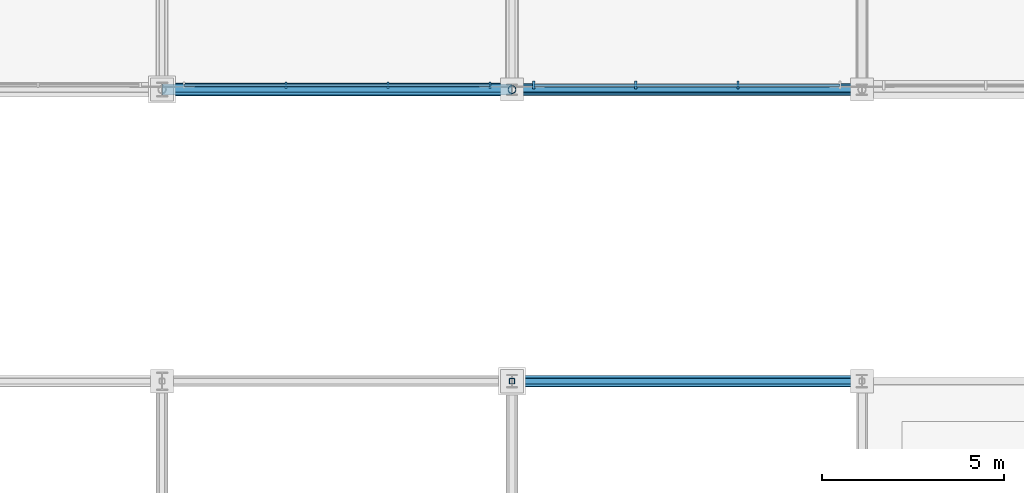
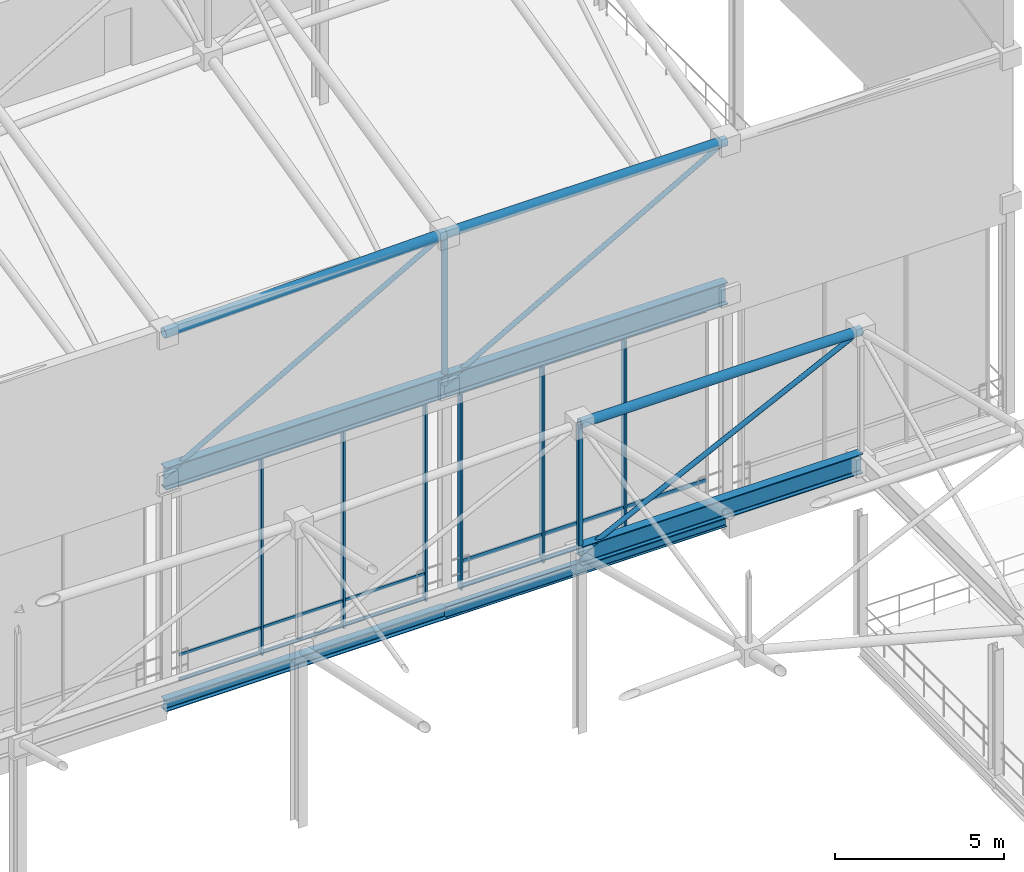
# One storey, part 98 of 193: 20 members, 5 beams, 2 elements without a shape of their own.
"""IFC4 building model written with IfcOpenShell, lengths in metres."""

from ifc_helpers import new_model, si_unit, direction, frame, origin, origin_2d, place, context, subcontext, project, spatial, rectangle, hollow_rectangle, hollow_circle, i_section, extrude, material, material_profile, profile_set, type_object, element, aggregate, save


model = new_model("IFC4")

# Units and contexts
model_context = context("Model", 3, precision=1e-05, world=origin(), true_north=direction((0.0, 1.0)))
body_context = subcontext(model_context, "Body", "Model", "MODEL_VIEW")
ifc_project = project(units=[si_unit("LENGTHUNIT", "METRE"), si_unit("AREAUNIT", "SQUARE_METRE"), si_unit("VOLUMEUNIT", "CUBIC_METRE"), si_unit("PLANEANGLEUNIT", "RADIAN"), si_unit("MASSUNIT", "GRAM", prefix="KILO")], contexts=[model_context])

# Site, building, storey
site_placement = place(None, origin())
site = spatial("IfcSite", under=ifc_project, at=site_placement, CompositionType="ELEMENT")
building_placement = place(site_placement, origin())
building = spatial("IfcBuilding", under=site, at=building_placement, Name="Danafjord Basin Convention Centre", CompositionType="ELEMENT")
storey_placement = place(building_placement, frame((0.0, 0.0, 11.39990234375)))
storey = spatial("IfcBuildingStorey", under=building, at=storey_placement, Name="L02", CompositionType="ELEMENT", Elevation=11.39990234375)

# Beams
ifc_material_1 = material(Name="Steel S355", Category="steel")
ifc_material_profile_1 = material_profile(ifc_material_1, i_section(OverallWidth=0.300048828125, OverallDepth=0.699951171875, WebThickness=0.01708984375, FlangeThickness=0.031982421875, FilletRadius=0.027099609375, at=origin_2d()), Name="HEB 700")
ifc_profile_set_1 = profile_set([ifc_material_profile_1], Name="Steel S355")
beam_type_1 = type_object("IfcBeamType", Name="BEAM-BM-HEB700", PredefinedType="BEAM", material=ifc_profile_set_1)
beam_1_placement = place(storey_placement, frame((182.39990234375, 80.0, 6.35009765625), z_axis=(1.0, 0.0, 0.0), x_axis=(0.0, 1.0, 0.0)))
element("IfcBeam", 1, at=beam_1_placement, inside=storey, type_object=beam_type_1, Name="V3 space-frame perimeter ring girder", PredefinedType="BEAM", context=body_context, shape_type="SweptSolid", body=[
    extrude(i_section(OverallWidth=0.300048828125, OverallDepth=0.699951171875, WebThickness=0.01708984375, FlangeThickness=0.031982421875, FilletRadius=0.027099609375, at=origin_2d()), origin(), (0.0, 0.0, 1.0), 9.60009765625),
])
ifc_material_profile_2 = material_profile(ifc_material_1, i_section(OverallWidth=0.300048828125, OverallDepth=0.800048828125, WebThickness=0.017578125, FlangeThickness=0.032958984375, FilletRadius=0.030029296875, at=origin_2d()), Name="HEB 800")
ifc_profile_set_2 = profile_set([ifc_material_profile_2], Name="Steel S355")
beam_type_2 = type_object("IfcBeamType", Name="BEAM-BM-HEB800", PredefinedType="BEAM", material=ifc_profile_set_2)
beam_2_placement = place(storey_placement, frame((172.800048828125, 88.0, 7.650146484375), z_axis=(1.0, 0.0, 0.0), x_axis=(0.0, 1.0, 0.0)))
element("IfcBeam", 2, at=beam_2_placement, inside=storey, type_object=beam_type_2, Name="V2 space-frame perimeter ring girder", PredefinedType="BEAM", context=body_context, shape_type="SweptSolid", body=[
    extrude(i_section(OverallWidth=0.300048828125, OverallDepth=0.800048828125, WebThickness=0.017578125, FlangeThickness=0.032958984375, FilletRadius=0.030029296875, at=origin_2d()), origin(), (0.0, 0.0, 1.0), 9.599853515625),
])
beam_3_placement = place(storey_placement, frame((182.39990234375, 88.0, 7.650146484375), z_axis=(1.0, 0.0, 0.0), x_axis=(0.0, 1.0, 0.0)))
element("IfcBeam", 3, at=beam_3_placement, inside=storey, type_object=beam_type_2, Name="V2 space-frame perimeter ring girder", PredefinedType="BEAM", context=body_context, shape_type="SweptSolid", body=[
    extrude(i_section(OverallWidth=0.300048828125, OverallDepth=0.800048828125, WebThickness=0.017578125, FlangeThickness=0.032958984375, FilletRadius=0.030029296875, at=origin_2d()), origin(), (0.0, 0.0, 1.0), 9.60009765625),
])
ifc_material_profile_3 = material_profile(ifc_material_1, i_section(OverallWidth=0.300048828125, OverallDepth=0.39990234375, WebThickness=0.013427734375, FlangeThickness=0.02392578125, FilletRadius=0.027099609375, at=origin_2d()), Name="HEB 400")
ifc_profile_set_3 = profile_set([ifc_material_profile_3], Name="Steel S355")
beam_type_3 = type_object("IfcBeamType", Name="BEAM-SP-HEB400", PredefinedType="SPANDREL", material=ifc_profile_set_3)
beam_4_placement = place(storey_placement, frame((172.800048828125, 88.0, -0.559814453125), z_axis=(1.0, 0.0, 0.0), x_axis=(0.0, 1.0, 0.0)))
element("IfcBeam", 4, at=beam_4_placement, inside=storey, type_object=beam_type_3, Name="L02 girder SP-HEB400", PredefinedType="SPANDREL", context=body_context, shape_type="SweptSolid", body=[
    extrude(i_section(OverallWidth=0.300048828125, OverallDepth=0.39990234375, WebThickness=0.013427734375, FlangeThickness=0.02392578125, FilletRadius=0.027099609375, at=origin_2d()), origin(), (0.0, 0.0, 1.0), 9.599853515625),
])
ifc_material_profile_4 = material_profile(ifc_material_1, i_section(OverallWidth=0.18994140625, OverallDepth=0.449951171875, WebThickness=0.009521484375, FlangeThickness=0.0146484375, FilletRadius=0.02099609375, at=origin_2d()), Name="IPE 450")
ifc_profile_set_4 = profile_set([ifc_material_profile_4], Name="Steel S355")
beam_type_4 = type_object("IfcBeamType", Name="BEAM-SP-IPE450", PredefinedType="SPANDREL", material=ifc_profile_set_4)
beam_5_placement = place(storey_placement, frame((182.39990234375, 88.0, -0.5849609375), z_axis=(1.0, 0.0, 0.0), x_axis=(0.0, 1.0, 0.0)))
element("IfcBeam", 5, at=beam_5_placement, inside=storey, type_object=beam_type_4, Name="L02 girder SP-IPE450", PredefinedType="SPANDREL", context=body_context, shape_type="SweptSolid", body=[
    extrude(i_section(OverallWidth=0.18994140625, OverallDepth=0.449951171875, WebThickness=0.009521484375, FlangeThickness=0.0146484375, FilletRadius=0.02099609375, at=origin_2d()), origin(), (0.0, 0.0, 1.0), 9.60009765625),
])

# Members
ifc_material_profile_5 = material_profile(ifc_material_1, hollow_circle(Radius=0.161865234375, WallThickness=0.01611328125, at=origin_2d()), Name="CHS 323.9x16.0")
ifc_profile_set_5 = profile_set([ifc_material_profile_5], Name="Steel S355")
member_type_1 = type_object("IfcMemberType", Name="MEM-CH-CHS324", PredefinedType="CHORD", material=ifc_profile_set_5)
for number, where, z_axis, x_axis, name in (
    (6, (182.39990234375, 88.0, 13.0751953125), (1.0, 0.0, 0.0), (0.0, 1.0, 0.0), "V2 roof truss longitudinal top chord"),
    (7, (182.39990234375, 80.0, 11.0751953125), (1.0, 0.0, 0.0), (0.0, 1.0, 0.0), "V3 roof truss longitudinal top chord"),
):
    element("IfcMember", number, at=place(storey_placement, frame(where, z_axis=z_axis, x_axis=x_axis)), inside=storey, type_object=member_type_1, Name=name, PredefinedType="CHORD", context=body_context, shape_type="SweptSolid", body=[
        extrude(hollow_circle(Radius=0.161865234375, WallThickness=0.01611328125, at=origin_2d()), origin(), (0.0, 0.0, 1.0), 9.60009765625),
    ])
ifc_material_profile_6 = material_profile(ifc_material_1, hollow_circle(Radius=0.177734375, WallThickness=0.01611328125, at=origin_2d()), Name="CHS 355.6x16.0")
ifc_profile_set_6 = profile_set([ifc_material_profile_6], Name="Steel S355")
member_type_2 = type_object("IfcMemberType", Name="MEM-CH-CHS355", PredefinedType="CHORD", material=ifc_profile_set_6)
member_1_placement = place(storey_placement, frame((172.800048828125, 88.0, 12.85009765625), z_axis=(0.999725208244, 0.0, 0.023441586989), x_axis=(0.0, 1.0, 0.0)))
element("IfcMember", 8, at=member_1_placement, inside=storey, type_object=member_type_2, Name="V2 roof truss longitudinal top chord", PredefinedType="CHORD", context=body_context, shape_type="SweptSolid", body=[
    extrude(hollow_circle(Radius=0.177734375, WallThickness=0.01611328125, at=origin_2d()), origin(), (0.0, 0.0, 1.0), 9.6025390625),
])

# Curtain wall, members
ifc_material_2 = material(Name="Anodised aluminium and triple glazing", Category="aluminium")
curtain_wall_type = type_object("IfcCurtainWallType", Name="CW-CW-DRUM", PredefinedType="NOTDEFINED", material=ifc_material_2)
curtain_wall_1_placement = place(storey_placement, origin())
curtain_wall_1 = element("IfcCurtainWall", 9, at=curtain_wall_1_placement, inside=storey, type_object=curtain_wall_type, Name="L02 CW-DRUM unitised curtain wall bay 126", PredefinedType="NOTDEFINED")
ifc_material_3 = material(Name="Anodised aluminium EN AW-6060", Category="aluminium")
ifc_material_profile_7 = material_profile(ifc_material_3, rectangle(XDim=0.06005859375, YDim=0.179931640625, at=origin_2d()), Name="MULL 60x180")
ifc_profile_set_7 = profile_set([ifc_material_profile_7], Name="Anodised aluminium EN AW-6060")
member_type_3 = type_object("IfcMemberType", Name="MEM-ML-180", PredefinedType="MULLION", material=ifc_profile_set_7)
member_2_placement = place(storey_placement, frame((176.199951171875, 88.1201171875, -0.02490234375), z_axis=(0.0, 0.0, 1.0), x_axis=(1.0, 0.0, 0.0)))
member_2 = element("IfcMember", 10, at=member_2_placement, type_object=member_type_3, Name="CW-L02-126 mullion 2", PredefinedType="MULLION", context=body_context, shape_type="SweptSolid", body=[
    extrude(rectangle(XDim=0.06005859375, YDim=0.179931640625, at=origin_2d()), origin(), (0.0, 0.0, 1.0), 7.18505859375),
])
member_3_placement = place(storey_placement, frame((179.0, 88.1201171875, -0.02490234375), z_axis=(0.0, 0.0, 1.0), x_axis=(1.0, 0.0, 0.0)))
member_3 = element("IfcMember", 11, at=member_3_placement, type_object=member_type_3, Name="CW-L02-126 mullion 3", PredefinedType="MULLION", context=body_context, shape_type="SweptSolid", body=[
    extrude(rectangle(XDim=0.06005859375, YDim=0.179931640625, at=origin_2d()), origin(), (0.0, 0.0, 1.0), 7.18505859375),
])
member_4_placement = place(storey_placement, frame((181.800048828125, 88.1201171875, -0.02490234375), z_axis=(0.0, 0.0, 1.0), x_axis=(1.0, 0.0, 0.0)))
member_4 = element("IfcMember", 12, at=member_4_placement, type_object=member_type_3, Name="CW-L02-126 mullion 4", PredefinedType="MULLION", context=body_context, shape_type="SweptSolid", body=[
    extrude(rectangle(XDim=0.06005859375, YDim=0.179931640625, at=origin_2d()), origin(), (0.0, 0.0, 1.0), 7.18505859375),
])

curtain_wall_2_placement = place(storey_placement, origin())
curtain_wall_2 = element("IfcCurtainWall", 13, at=curtain_wall_2_placement, inside=storey, type_object=curtain_wall_type, Name="L02 CW-DRUM unitised curtain wall bay 127", PredefinedType="NOTDEFINED")
ifc_material_profile_8 = material_profile(ifc_material_3, rectangle(XDim=0.06494140625, YDim=0.219970703125, at=origin_2d()), Name="MULL 65x220")
ifc_profile_set_8 = profile_set([ifc_material_profile_8], Name="Anodised aluminium EN AW-6060")
member_type_4 = type_object("IfcMemberType", Name="MEM-ML-220", PredefinedType="MULLION", material=ifc_profile_set_8)
member_5_placement = place(storey_placement, frame((183.0, 88.1201171875, -0.02490234375), z_axis=(0.0, 0.0, 1.0), x_axis=(1.0, 0.0, 0.0)))
member_5 = element("IfcMember", 14, at=member_5_placement, type_object=member_type_4, Name="CW-L02-127 mullion 1", PredefinedType="MULLION", context=body_context, shape_type="SweptSolid", body=[
    extrude(rectangle(XDim=0.06494140625, YDim=0.219970703125, at=origin_2d()), origin(), (0.0, 0.0, 1.0), 7.18505859375),
])
member_6_placement = place(storey_placement, frame((185.800048828125, 88.1201171875, -0.02490234375), z_axis=(0.0, 0.0, 1.0), x_axis=(1.0, 0.0, 0.0)))
member_6 = element("IfcMember", 15, at=member_6_placement, type_object=member_type_4, Name="CW-L02-127 mullion 2", PredefinedType="MULLION", context=body_context, shape_type="SweptSolid", body=[
    extrude(rectangle(XDim=0.06494140625, YDim=0.219970703125, at=origin_2d()), origin(), (0.0, 0.0, 1.0), 7.18505859375),
])
member_7_placement = place(storey_placement, frame((188.60009765625, 88.1201171875, -0.02490234375), z_axis=(0.0, 0.0, 1.0), x_axis=(1.0, 0.0, 0.0)))
member_7 = element("IfcMember", 16, at=member_7_placement, type_object=member_type_4, Name="CW-L02-127 mullion 3", PredefinedType="MULLION", context=body_context, shape_type="SweptSolid", body=[
    extrude(rectangle(XDim=0.06494140625, YDim=0.219970703125, at=origin_2d()), origin(), (0.0, 0.0, 1.0), 7.18505859375),
])

# Members
ifc_material_profile_9 = material_profile(ifc_material_1, hollow_circle(Radius=0.109619140625, WallThickness=0.010009765625, at=origin_2d()), Name="CHS 219.1x10.0")
ifc_profile_set_9 = profile_set([ifc_material_profile_9], Name="Steel S355")
member_type_5 = type_object("IfcMemberType", Name="MEM-ST-CHS219", PredefinedType="STRUT", material=ifc_profile_set_9)
member_8_placement = place(storey_placement, frame((182.39990234375, 88.0, 7.650146484375), z_axis=(0.0, 0.0, 1.0), x_axis=(1.0, 0.0, 0.0)))
element("IfcMember", 17, at=member_8_placement, inside=storey, type_object=member_type_5, Name="V2 roof truss vertical strut", PredefinedType="STRUT", context=body_context, shape_type="SweptSolid", body=[
    extrude(hollow_circle(Radius=0.109619140625, WallThickness=0.010009765625, at=origin_2d()), origin(), (0.0, 0.0, 1.0), 5.425048828125),
])
ifc_material_profile_10 = material_profile(ifc_material_1, hollow_rectangle(XDim=0.14990234375, YDim=0.14990234375, WallThickness=0.008056640625, InnerFilletRadius=0.011962890625, OuterFilletRadius=0.02001953125, at=origin_2d()), Name="SHS 150x150x8.0")
ifc_profile_set_10 = profile_set([ifc_material_profile_10], Name="Steel S355")
member_type_6 = type_object("IfcMemberType", Name="MEM-ST-SHS150", PredefinedType="STRUT", material=ifc_profile_set_10)
member_9_placement = place(storey_placement, frame((182.39990234375, 80.0, 6.35009765625), z_axis=(0.0, 0.0, 1.0), x_axis=(1.0, 0.0, 0.0)))
element("IfcMember", 18, at=member_9_placement, inside=storey, type_object=member_type_6, Name="V3 roof truss vertical strut", PredefinedType="STRUT", context=body_context, shape_type="SweptSolid", body=[
    extrude(hollow_rectangle(XDim=0.14990234375, YDim=0.14990234375, WallThickness=0.008056640625, InnerFilletRadius=0.011962890625, OuterFilletRadius=0.02001953125, at=origin_2d()), origin(), (0.0, 0.0, 1.0), 4.72509765625),
])

# Member
ifc_material_profile_11 = material_profile(ifc_material_3, rectangle(XDim=0.06005859375, YDim=0.110107421875, at=origin_2d()), Name="TRAN 60x110")
ifc_profile_set_11 = profile_set([ifc_material_profile_11], Name="Anodised aluminium EN AW-6060")
member_type_7 = type_object("IfcMemberType", Name="MEM-TR-110", PredefinedType="USERDEFINED", material=ifc_profile_set_11)
member_10_placement = place(storey_placement, frame((173.39990234375, 88.1201171875, 0.06005859375), z_axis=(1.0, 0.0, 0.0), x_axis=(0.0, 1.0, 0.0)))
member_10 = element("IfcMember", 19, at=member_10_placement, type_object=member_type_7, Name="CW-L02-126 transom 1", ObjectType="TRANSOM", PredefinedType="USERDEFINED", context=body_context, shape_type="SweptSolid", body=[
    extrude(rectangle(XDim=0.06005859375, YDim=0.110107421875, at=origin_2d()), origin(), (0.0, 0.0, 1.0), 8.400146484375),
])

member_11_placement = place(storey_placement, frame((173.39990234375, 88.1201171875, 0.9501953125), z_axis=(1.0, 0.0, 0.0), x_axis=(0.0, 1.0, 0.0)))
member_11 = element("IfcMember", 20, at=member_11_placement, type_object=member_type_7, Name="CW-L02-126 transom 2", ObjectType="TRANSOM", PredefinedType="USERDEFINED", context=body_context, shape_type="SweptSolid", body=[
    extrude(rectangle(XDim=0.06005859375, YDim=0.110107421875, at=origin_2d()), origin(), (0.0, 0.0, 1.0), 8.400146484375),
])

member_12_placement = place(storey_placement, frame((173.39990234375, 88.1201171875, 7.090087890625), z_axis=(1.0, 0.0, 0.0), x_axis=(0.0, 1.0, 0.0)))
member_12 = element("IfcMember", 21, at=member_12_placement, type_object=member_type_7, Name="CW-L02-126 transom 3", ObjectType="TRANSOM", PredefinedType="USERDEFINED", context=body_context, shape_type="SweptSolid", body=[
    extrude(rectangle(XDim=0.06005859375, YDim=0.110107421875, at=origin_2d()), origin(), (0.0, 0.0, 1.0), 8.400146484375),
])

aggregate(curtain_wall_1, [member_2, member_3, member_4, member_10, member_11, member_12])

ifc_material_profile_12 = material_profile(ifc_material_3, rectangle(XDim=0.06005859375, YDim=0.14990234375, at=origin_2d()), Name="TRAN 60x150")
ifc_profile_set_12 = profile_set([ifc_material_profile_12], Name="Anodised aluminium EN AW-6060")
member_type_8 = type_object("IfcMemberType", Name="MEM-TR-150", PredefinedType="USERDEFINED", material=ifc_profile_set_12)
member_13_placement = place(storey_placement, frame((183.0, 88.1201171875, 0.06005859375), z_axis=(1.0, 0.0, 0.0), x_axis=(0.0, 1.0, 0.0)))
member_13 = element("IfcMember", 22, at=member_13_placement, type_object=member_type_8, Name="CW-L02-127 transom 1", ObjectType="TRANSOM", PredefinedType="USERDEFINED", context=body_context, shape_type="SweptSolid", body=[
    extrude(rectangle(XDim=0.06005859375, YDim=0.14990234375, at=origin_2d()), origin(), (0.0, 0.0, 1.0), 8.39990234375),
])

member_14_placement = place(storey_placement, frame((183.0, 88.1201171875, 0.9501953125), z_axis=(1.0, 0.0, 0.0), x_axis=(0.0, 1.0, 0.0)))
member_14 = element("IfcMember", 23, at=member_14_placement, type_object=member_type_8, Name="CW-L02-127 transom 2", ObjectType="TRANSOM", PredefinedType="USERDEFINED", context=body_context, shape_type="SweptSolid", body=[
    extrude(rectangle(XDim=0.06005859375, YDim=0.14990234375, at=origin_2d()), origin(), (0.0, 0.0, 1.0), 8.39990234375),
])

member_15_placement = place(storey_placement, frame((183.0, 88.1201171875, 7.090087890625), z_axis=(1.0, 0.0, 0.0), x_axis=(0.0, 1.0, 0.0)))
member_15 = element("IfcMember", 24, at=member_15_placement, type_object=member_type_8, Name="CW-L02-127 transom 3", ObjectType="TRANSOM", PredefinedType="USERDEFINED", context=body_context, shape_type="SweptSolid", body=[
    extrude(rectangle(XDim=0.06005859375, YDim=0.14990234375, at=origin_2d()), origin(), (0.0, 0.0, 1.0), 8.39990234375),
])

aggregate(curtain_wall_2, [member_5, member_6, member_7, member_13, member_14, member_15])

# Members
ifc_material_profile_13 = material_profile(ifc_material_1, hollow_circle(Radius=0.084228515625, WallThickness=0.008056640625, at=origin_2d()), Name="CHS 168.3x8.0")
ifc_profile_set_13 = profile_set([ifc_material_profile_13], Name="Steel S355")
member_type_9 = type_object("IfcMemberType", Name="MEM-WB-CHS168", PredefinedType="MEMBER", material=ifc_profile_set_13)
member_16_placement = place(storey_placement, frame((172.800048828125, 88.0, 7.650146484375), z_axis=(0.870599949112, 0.0, 0.491991594039), x_axis=(0.0, 1.0, 0.0)))
element("IfcMember", 25, at=member_16_placement, inside=storey, type_object=member_type_9, Name="V2 space-frame longitudinal web", PredefinedType="MEMBER", context=body_context, shape_type="SweptSolid", body=[
    extrude(hollow_circle(Radius=0.084228515625, WallThickness=0.008056640625, at=origin_2d()), origin(), (0.0, 0.0, 1.0), 11.026611328125),
])
member_17_placement = place(storey_placement, frame((182.39990234375, 88.0, 7.650146484375), z_axis=(0.870605308274, 0.0, 0.491982110655), x_axis=(0.0, 1.0, 0.0)))
element("IfcMember", 26, at=member_17_placement, inside=storey, type_object=member_type_9, Name="V2 space-frame longitudinal web", PredefinedType="MEMBER", context=body_context, shape_type="SweptSolid", body=[
    extrude(hollow_circle(Radius=0.084228515625, WallThickness=0.008056640625, at=origin_2d()), origin(), (0.0, 0.0, 1.0), 11.02685546875),
])
member_18_placement = place(storey_placement, frame((182.39990234375, 80.0, 6.35009765625), z_axis=(0.897211568117, 0.0, 0.441600953393), x_axis=(0.0, 1.0, 0.0)))
element("IfcMember", 27, at=member_18_placement, inside=storey, type_object=member_type_9, Name="V3 space-frame longitudinal web", PredefinedType="MEMBER", context=body_context, shape_type="SweptSolid", body=[
    extrude(hollow_circle(Radius=0.084228515625, WallThickness=0.008056640625, at=origin_2d()), origin(), (0.0, 0.0, 1.0), 10.699951171875),
])

save(model, "model.ifc")
